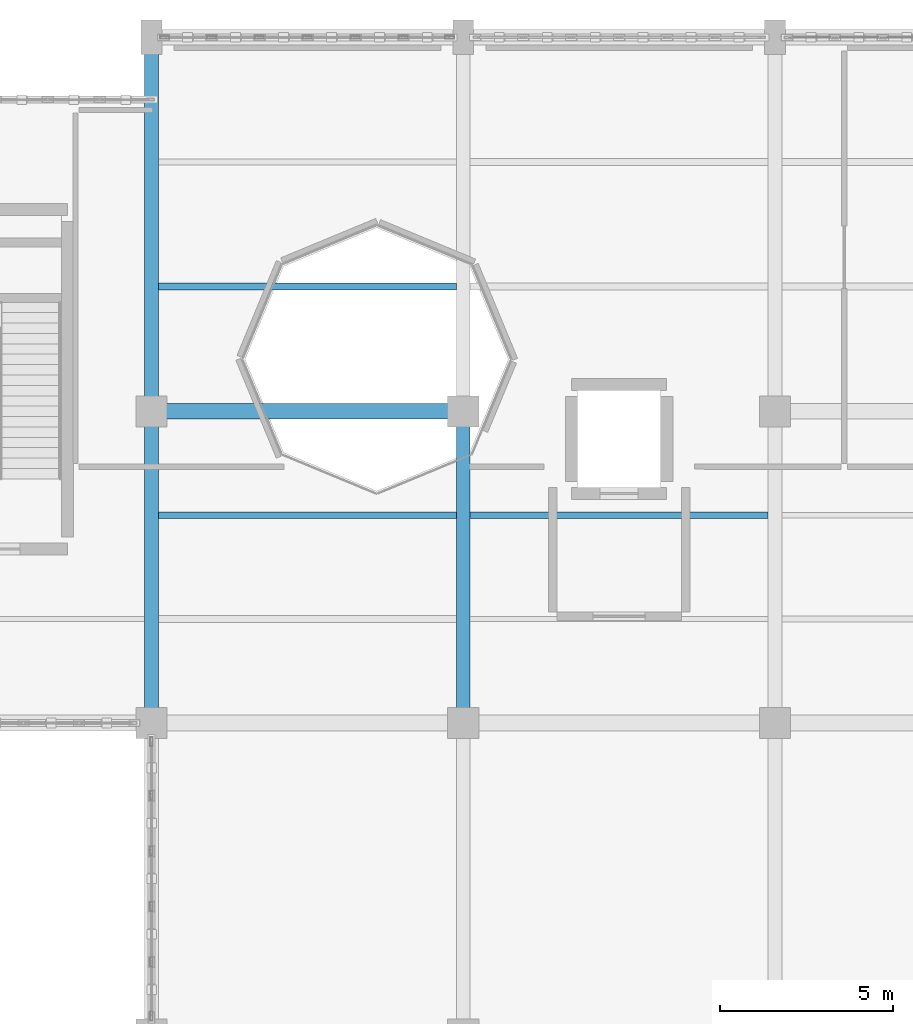
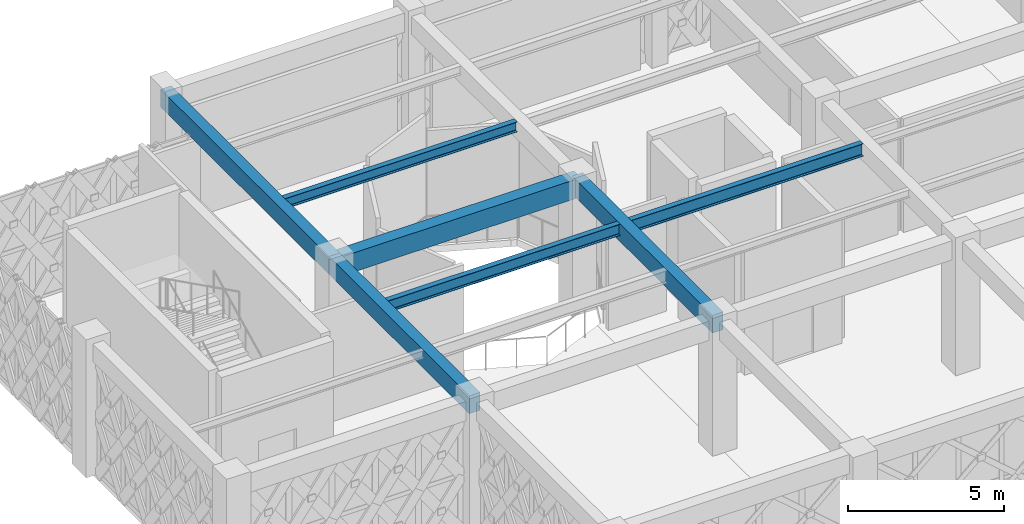
# One storey, part 85 of 155: 7 beams.
"""IFC4 building model written with IfcOpenShell, lengths in metres."""

import ifcopenshell
import ifcopenshell.guid

model = None  # the IFC model being written
_history = None  # IfcOwnerHistory: only IFC2X3 demands one
_inside = {}  # id of a spatial element -> (the spatial element, [elements in it])
_under = {}  # id of a project, library or spatial element -> (it, [spatial elements below it])
_declared = {}  # id of a project -> (the project, [libraries it declares])
_typed = {}  # id of a type object -> (the type object, [elements of that type])
_made_of = {}  # id of a material, layer set ... -> (it, [elements and type objects made of it])


def new_model(schema):
    """Start an empty IFC model of exactly this schema.

    Asked for "IFC4X3", IfcOpenShell would pick the latest addendum, in which some entities
    have other attributes; the version numbers below select the first issue.
    IFC2X3 requires an IfcOwnerHistory on every rooted entity: one is made here for all.
    """
    global model, _history
    if schema == "IFC4X3":
        model = ifcopenshell.file(schema_version=(4, 3, 0, 0))
    else:
        model = ifcopenshell.file(schema=schema)
    _inside.clear()
    _under.clear()
    _declared.clear()
    _typed.clear()
    _made_of.clear()
    _history = None
    if model.schema == "IFC2X3":
        org = make("IfcOrganization", Name="unknown")
        user = make(
            "IfcPersonAndOrganization",
            ThePerson=make("IfcPerson", FamilyName="unknown"),
            TheOrganization=org,
        )
        app = make(
            "IfcApplication",
            ApplicationDeveloper=org,
            Version="unknown",
            ApplicationFullName="unknown",
            ApplicationIdentifier="unknown",
        )
        _history = make(
            "IfcOwnerHistory",
            OwningUser=user,
            OwningApplication=app,
            ChangeAction="ADDED",
            CreationDate=0,
        )
    return model


def make(cls, **values):
    """One entity of the class cls with the attributes given. An attribute that is None is left unset."""
    return model.create_entity(
        cls, **{name: value for name, value in values.items() if value is not None}
    )


def rooted(cls, **values):
    """An entity with a GlobalId (a new one), such as an element, a storey or a relation."""
    return make(cls, GlobalId=ifcopenshell.guid.new(), OwnerHistory=_history, **values)


def si_unit(unit_type, name, prefix=None):
    """IfcSIUnit, for example si_unit("LENGTHUNIT", "METRE", prefix="MILLI")."""
    return make("IfcSIUnit", UnitType=unit_type, Prefix=prefix, Name=name)


def assignment(units):
    """IfcUnitAssignment: the units of a project."""
    return None if units is None else make("IfcUnitAssignment", Units=units)


def point(xyz):
    """IfcCartesianPoint."""
    return None if xyz is None else make("IfcCartesianPoint", Coordinates=xyz)


def direction(xyz):
    """IfcDirection."""
    return None if xyz is None else make("IfcDirection", DirectionRatios=xyz)


def frame(location, z_axis=None, x_axis=None):
    """IfcAxis2Placement3D, a coordinate frame: its origin and axes. An axis left out is left unset."""
    return make(
        "IfcAxis2Placement3D",
        Location=point(location),
        Axis=direction(z_axis),
        RefDirection=direction(x_axis),
    )


def frame_2d(location, x_axis=None):
    """IfcAxis2Placement2D, a coordinate frame in the plane: its origin and x axis."""
    return make(
        "IfcAxis2Placement2D", Location=point(location), RefDirection=direction(x_axis)
    )


def origin():
    """The frame at (0, 0, 0) with its axes left unset."""
    return frame((0.0, 0.0, 0.0))


def origin_2d():
    """The frame at (0, 0) in the plane with its x axis left unset."""
    return frame_2d((0.0, 0.0))


def place(relative_to, where):
    """IfcLocalPlacement: puts the frame where relative to a parent placement (None: the world)."""
    return make(
        "IfcLocalPlacement", PlacementRelTo=relative_to, RelativePlacement=where
    )


def context(
    kind, dimensions, precision=None, world=None, true_north=None, identifier=None
):
    """IfcGeometricRepresentationContext, for example the 3D "Model" context."""
    return make(
        "IfcGeometricRepresentationContext",
        ContextIdentifier=identifier,
        ContextType=kind,
        CoordinateSpaceDimension=dimensions,
        Precision=precision,
        WorldCoordinateSystem=world,
        TrueNorth=true_north,
    )


def subcontext(parent, identifier, kind, view, scale=None):
    """IfcGeometricRepresentationSubContext, for example "Body" below "Model"."""
    return make(
        "IfcGeometricRepresentationSubContext",
        ContextIdentifier=identifier,
        ContextType=kind,
        ParentContext=parent,
        TargetScale=scale,
        TargetView=view,
    )


def project(units=None, contexts=None):
    """IfcProject with its units and contexts."""
    return rooted(
        "IfcProject",
        Name="project",
        RepresentationContexts=contexts,
        UnitsInContext=assignment(units),
    )


def spatial(cls, under=None, at=None, **own):
    """A site, building, storey or space (cls), placed at a placement, below another one or the project."""
    s = rooted(cls, ObjectPlacement=at, **own)
    if under is not None:
        _under.setdefault(under.id(), (under, []))[1].append(s)
    return s


def profile(cls, at=None, kind="AREA", **sizes):
    """A parametric profile (cls). Its sizes go by their IFC names, for example OverallWidth=200.0."""
    return make(cls, ProfileType=kind, Position=at, **sizes)


def rectangle(**sizes):
    """IfcRectangleProfileDef."""
    return profile("IfcRectangleProfileDef", **sizes)


def i_section(**sizes):
    """IfcIShapeProfileDef."""
    return profile("IfcIShapeProfileDef", **sizes)


def extrude(swept, where, along, depth):
    """IfcExtrudedAreaSolid: the profile swept, set in the frame where, extruded along a direction by depth."""
    return make(
        "IfcExtrudedAreaSolid",
        SweptArea=swept,
        Position=where,
        ExtrudedDirection=direction(along),
        Depth=depth,
    )


def shape(context_of_items, identifier, shape_type, items):
    """IfcShapeRepresentation: the items that make up one representation, for example the "Body"."""
    return make(
        "IfcShapeRepresentation",
        ContextOfItems=context_of_items,
        RepresentationIdentifier=identifier,
        RepresentationType=shape_type,
        Items=items,
    )


def material(Name=None, Category=None):
    """IfcMaterial."""
    return make("IfcMaterial", Name=Name, Category=Category)


def material_profile(
    of_material, cross_section, Name=None, Category=None, Priority=None
):
    """IfcMaterialProfile: a cross section and its material."""
    return make(
        "IfcMaterialProfile",
        Name=Name,
        Material=of_material,
        Profile=cross_section,
        Priority=Priority,
        Category=Category,
    )


def profile_set(profiles, Name=None, composite=None):
    """IfcMaterialProfileSet."""
    return make(
        "IfcMaterialProfileSet",
        Name=Name,
        MaterialProfiles=profiles,
        CompositeProfile=composite,
    )


def made_of(thing, what):
    """Note that an element or type object is made of a material, layer set ...; save() writes the relation."""
    if what is not None:
        _made_of.setdefault(what.id(), (what, []))[1].append(thing)
    return thing


def type_object(cls, material=None, **own):
    """A type object (cls), such as IfcWallType, which elements share."""
    return made_of(rooted(cls, **own), material)


def element(
    cls,
    number,
    at=None,
    inside=None,
    cuts=None,
    type_object=None,
    material=None,
    context=None,
    identifier="Body",
    shape_type=None,
    held_by="IfcProductDefinitionShape",
    body=None,
    shapes=None,
    **own,
):
    """One element of the class cls, such as IfcWall. Its Tag is "e" and its number.

    at: its placement. inside: the storey or other place that contains it. cuts: it is an
    opening in that element (IfcRelVoidsElement). A single representation is given by context,
    identifier, shape_type and body (its items); several are given by shapes. held_by: the class
    of the entity that holds the representations. save() writes the other relations.
    """
    e = rooted(cls, Tag="e%d" % number, ObjectPlacement=at, **own)
    if body is not None:
        shapes = [shape(context, identifier, shape_type, body)]
    if shapes is not None:
        e.Representation = make(held_by, Representations=shapes)
    if inside is not None:
        _inside.setdefault(inside.id(), (inside, []))[1].append(e)
    if cuts is not None:
        rooted(
            "IfcRelVoidsElement", RelatingBuildingElement=cuts, RelatedOpeningElement=e
        )
    if type_object is not None:
        _typed.setdefault(type_object.id(), (type_object, []))[1].append(e)
    return made_of(e, material)


def aggregate(whole, parts):
    """IfcRelAggregates: a whole, such as a stair, and the parts it consists of."""
    return rooted("IfcRelAggregates", RelatingObject=whole, RelatedObjects=parts)


def save(model, path):
    """Write the relations noted so far, then the file.

    IfcRelAggregates (storeys below a building ...), IfcRelContainedInSpatialStructure (elements
    in a storey), IfcRelDefinesByType, IfcRelAssociatesMaterial and IfcRelDeclares: one each for
    every whole, place, type object, material and project.
    """
    for whole, parts in _under.values():
        aggregate(whole, parts)
    for where, things in _inside.values():
        rooted(
            "IfcRelContainedInSpatialStructure",
            RelatedElements=things,
            RelatingStructure=where,
        )
    for kind, things in _typed.values():
        rooted("IfcRelDefinesByType", RelatedObjects=things, RelatingType=kind)
    for what, things in _made_of.values():
        rooted("IfcRelAssociatesMaterial", RelatedObjects=things, RelatingMaterial=what)
    for by, libraries in _declared.values():
        rooted("IfcRelDeclares", RelatingContext=by, RelatedDefinitions=libraries)
    model.write(path)


model = new_model("IFC4")

# Units and contexts
model_context = context("Model", 3, precision=1e-05, world=origin(), true_north=direction((0.0, 1.0)))
body_context = subcontext(model_context, "Body", "Model", "MODEL_VIEW")
ifc_project = project(units=[si_unit("LENGTHUNIT", "METRE"), si_unit("AREAUNIT", "SQUARE_METRE"), si_unit("VOLUMEUNIT", "CUBIC_METRE"), si_unit("PLANEANGLEUNIT", "RADIAN"), si_unit("MASSUNIT", "GRAM", prefix="KILO")], contexts=[model_context])

# Site, building, storey
site_placement = place(None, origin())
site = spatial("IfcSite", under=ifc_project, at=site_placement, CompositionType="ELEMENT")
building_placement = place(site_placement, origin())
building = spatial("IfcBuilding", under=site, at=building_placement, Name="Haizhuo Lancet Aquarium", CompositionType="ELEMENT")
storey_placement = place(building_placement, frame((0.0, 0.0, 10.800048828125)))
storey = spatial("IfcBuildingStorey", under=building, at=storey_placement, Name="L02", CompositionType="ELEMENT", Elevation=10.800048828125)

# Beams
ifc_material_1 = material(Name="Concrete C40/50", Category="concrete")
ifc_material_profile_1 = material_profile(ifc_material_1, rectangle(XDim=0.39990234375, YDim=0.699951171875, at=origin_2d()), Name="RC-BM 400x700")
ifc_profile_set_1 = profile_set([ifc_material_profile_1], Name="Concrete C40/50")
beam_type_1 = type_object("IfcBeamType", Name="BM-RC-400x700", PredefinedType="BEAM", material=ifc_profile_set_1)
beam_1_placement = place(storey_placement, frame((-18.0, 36.0, 4.81005859375), z_axis=(0.0, 1.0, 0.0), x_axis=(-1.0, 0.0, 0.0)))
element("IfcBeam", 1, at=beam_1_placement, inside=storey, type_object=beam_type_1, Name="L02 V5 primary girder BM-L02-V5-005", PredefinedType="BEAM", context=body_context, shape_type="SweptSolid", body=[
    extrude(rectangle(XDim=0.39990234375, YDim=0.699951171875, at=origin_2d()), origin(), (0.0, 0.0, 1.0), 9.0),
])
beam_2_placement = place(storey_placement, frame((-18.0, 45.0, 4.81005859375), z_axis=(0.0, 1.0, 0.0), x_axis=(-1.0, 0.0, 0.0)))
element("IfcBeam", 2, at=beam_2_placement, inside=storey, type_object=beam_type_1, Name="L02 V5 primary girder BM-L02-V5-007", PredefinedType="BEAM", context=body_context, shape_type="SweptSolid", body=[
    extrude(rectangle(XDim=0.39990234375, YDim=0.699951171875, at=origin_2d()), origin(), (0.0, 0.0, 1.0), 10.800048828125),
])
beam_3_placement = place(storey_placement, frame((-9.0, 36.0, 4.81005859375), z_axis=(0.0, 1.0, 0.0), x_axis=(-1.0, 0.0, 0.0)))
element("IfcBeam", 3, at=beam_3_placement, inside=storey, type_object=beam_type_1, Name="L02 V5 primary girder BM-L02-V5-012", PredefinedType="BEAM", context=body_context, shape_type="SweptSolid", body=[
    extrude(rectangle(XDim=0.39990234375, YDim=0.699951171875, at=origin_2d()), origin(), (0.0, 0.0, 1.0), 9.0),
])
ifc_material_profile_2 = material_profile(ifc_material_1, rectangle(XDim=0.449951171875, YDim=0.75, at=origin_2d()), Name="RC-BM 450x750")
ifc_profile_set_2 = profile_set([ifc_material_profile_2], Name="Concrete C40/50")
beam_type_2 = type_object("IfcBeamType", Name="BM-RC-450x750", PredefinedType="BEAM", material=ifc_profile_set_2)
beam_4_placement = place(storey_placement, frame((-18.0, 45.0, 4.784912109375), z_axis=(1.0, 0.0, 0.0), x_axis=(0.0, 1.0, 0.0)))
element("IfcBeam", 4, at=beam_4_placement, inside=storey, type_object=beam_type_2, Name="L02 V5 primary girder BM-L02-V5-008", PredefinedType="BEAM", context=body_context, shape_type="SweptSolid", body=[
    extrude(rectangle(XDim=0.449951171875, YDim=0.75, at=origin_2d()), origin(), (0.0, 0.0, 1.0), 9.0),
])
ifc_material_2 = material(Name="Steel S355", Category="steel")
ifc_material_profile_3 = material_profile(ifc_material_2, i_section(OverallWidth=0.199951171875, OverallDepth=0.39990234375, WebThickness=0.008056640625, FlangeThickness=0.012939453125, FilletRadius=0.01611328125, at=origin_2d()), Name="HN 400x200x8x13")
ifc_profile_set_3 = profile_set([ifc_material_profile_3], Name="Steel S355")
beam_type_3 = type_object("IfcBeamType", Name="JST-ST-HN400", PredefinedType="JOIST", material=ifc_profile_set_3)
beam_5_placement = place(storey_placement, frame((-17.800048828125, 48.60009765625, 4.9599609375), z_axis=(1.0, 0.0, 0.0), x_axis=(0.0, 1.0, 0.0)))
element("IfcBeam", 5, at=beam_5_placement, inside=storey, type_object=beam_type_3, Name="L02 V5 secondary floor joist 4", PredefinedType="JOIST", context=body_context, shape_type="SweptSolid", body=[
    extrude(i_section(OverallWidth=0.199951171875, OverallDepth=0.39990234375, WebThickness=0.008056640625, FlangeThickness=0.012939453125, FilletRadius=0.01611328125, at=origin_2d()), origin(), (0.0, 0.0, 1.0), 8.60009765625),
])
ifc_material_profile_4 = material_profile(ifc_material_2, i_section(OverallWidth=0.199951171875, OverallDepth=0.449951171875, WebThickness=0.009033203125, FlangeThickness=0.013916015625, FilletRadius=0.01806640625, at=origin_2d()), Name="HN 450x200x9x14")
ifc_profile_set_4 = profile_set([ifc_material_profile_4], Name="Steel S355")
beam_type_4 = type_object("IfcBeamType", Name="JST-ST-HN450", PredefinedType="JOIST", material=ifc_profile_set_4)
beam_6_placement = place(storey_placement, frame((-17.800048828125, 42.0, 4.93505859375), z_axis=(1.0, 0.0, 0.0), x_axis=(0.0, 1.0, 0.0)))
element("IfcBeam", 6, at=beam_6_placement, inside=storey, type_object=beam_type_4, Name="L02 V5 secondary floor joist 3", PredefinedType="JOIST", context=body_context, shape_type="SweptSolid", body=[
    extrude(i_section(OverallWidth=0.199951171875, OverallDepth=0.449951171875, WebThickness=0.009033203125, FlangeThickness=0.013916015625, FilletRadius=0.01806640625, at=origin_2d()), origin(), (0.0, 0.0, 1.0), 8.60009765625),
])
ifc_material_profile_5 = material_profile(ifc_material_2, i_section(OverallWidth=0.199951171875, OverallDepth=0.5, WebThickness=0.010009765625, FlangeThickness=0.01611328125, FilletRadius=0.02001953125, at=origin_2d()), Name="HN 500x200x10x16")
ifc_profile_set_5 = profile_set([ifc_material_profile_5], Name="Steel S355")
beam_type_5 = type_object("IfcBeamType", Name="JST-ST-HN500", PredefinedType="JOIST", material=ifc_profile_set_5)
beam_7_placement = place(storey_placement, frame((-8.800048828125, 42.0, 4.909912109375), z_axis=(1.0, 0.0, 0.0), x_axis=(0.0, 1.0, 0.0)))
element("IfcBeam", 7, at=beam_7_placement, inside=storey, type_object=beam_type_5, Name="L02 V5 secondary floor joist 7", PredefinedType="JOIST", context=body_context, shape_type="SweptSolid", body=[
    extrude(i_section(OverallWidth=0.199951171875, OverallDepth=0.5, WebThickness=0.010009765625, FlangeThickness=0.01611328125, FilletRadius=0.02001953125, at=origin_2d()), origin(), (0.0, 0.0, 1.0), 8.60009765625),
])

save(model, "model.ifc")
